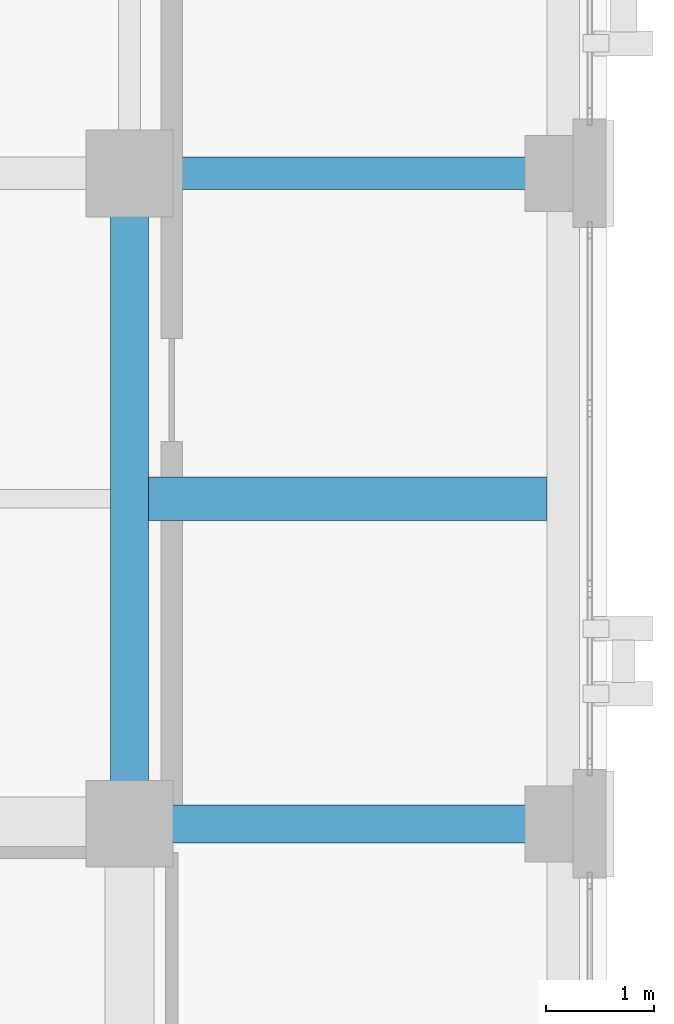
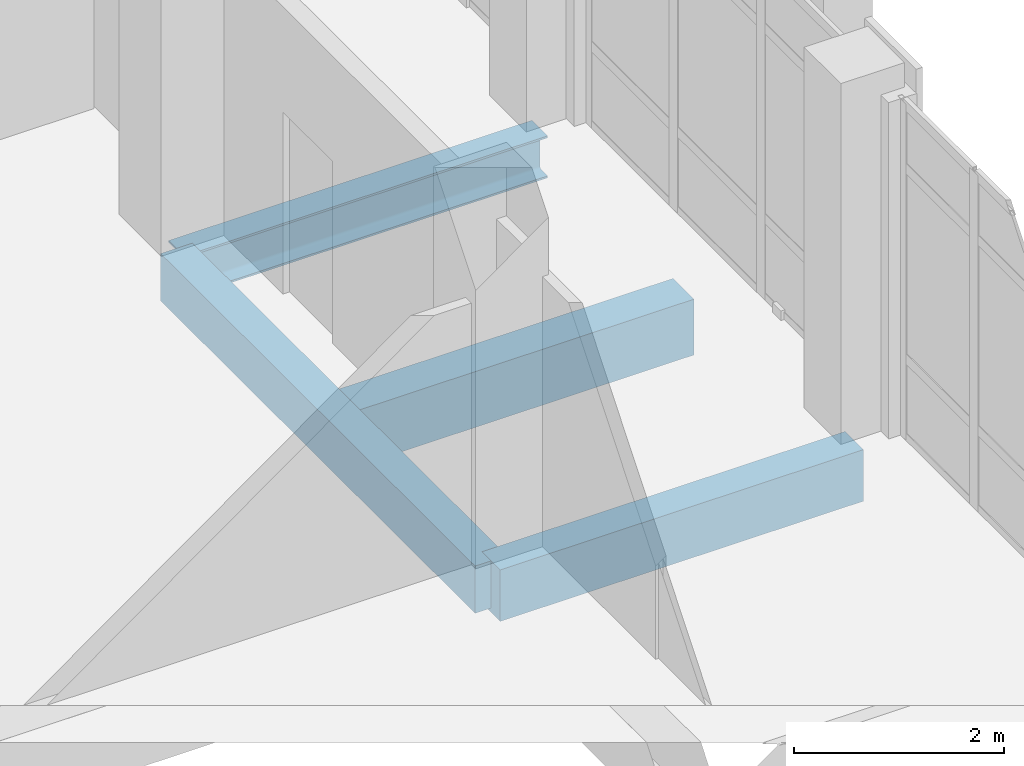
# One storey, part 74 of 193: 4 beams.
"""IFC4 building model written with IfcOpenShell, lengths in metres."""

import ifcopenshell
import ifcopenshell.guid

model = None  # the IFC model being written
_history = None  # IfcOwnerHistory: only IFC2X3 demands one
_inside = {}  # id of a spatial element -> (the spatial element, [elements in it])
_under = {}  # id of a project, library or spatial element -> (it, [spatial elements below it])
_declared = {}  # id of a project -> (the project, [libraries it declares])
_typed = {}  # id of a type object -> (the type object, [elements of that type])
_made_of = {}  # id of a material, layer set ... -> (it, [elements and type objects made of it])


def new_model(schema):
    """Start an empty IFC model of exactly this schema.

    Asked for "IFC4X3", IfcOpenShell would pick the latest addendum, in which some entities
    have other attributes; the version numbers below select the first issue.
    IFC2X3 requires an IfcOwnerHistory on every rooted entity: one is made here for all.
    """
    global model, _history
    if schema == "IFC4X3":
        model = ifcopenshell.file(schema_version=(4, 3, 0, 0))
    else:
        model = ifcopenshell.file(schema=schema)
    _inside.clear()
    _under.clear()
    _declared.clear()
    _typed.clear()
    _made_of.clear()
    _history = None
    if model.schema == "IFC2X3":
        org = make("IfcOrganization", Name="unknown")
        user = make(
            "IfcPersonAndOrganization",
            ThePerson=make("IfcPerson", FamilyName="unknown"),
            TheOrganization=org,
        )
        app = make(
            "IfcApplication",
            ApplicationDeveloper=org,
            Version="unknown",
            ApplicationFullName="unknown",
            ApplicationIdentifier="unknown",
        )
        _history = make(
            "IfcOwnerHistory",
            OwningUser=user,
            OwningApplication=app,
            ChangeAction="ADDED",
            CreationDate=0,
        )
    return model


def make(cls, **values):
    """One entity of the class cls with the attributes given. An attribute that is None is left unset."""
    return model.create_entity(
        cls, **{name: value for name, value in values.items() if value is not None}
    )


def rooted(cls, **values):
    """An entity with a GlobalId (a new one), such as an element, a storey or a relation."""
    return make(cls, GlobalId=ifcopenshell.guid.new(), OwnerHistory=_history, **values)


def si_unit(unit_type, name, prefix=None):
    """IfcSIUnit, for example si_unit("LENGTHUNIT", "METRE", prefix="MILLI")."""
    return make("IfcSIUnit", UnitType=unit_type, Prefix=prefix, Name=name)


def assignment(units):
    """IfcUnitAssignment: the units of a project."""
    return None if units is None else make("IfcUnitAssignment", Units=units)


def point(xyz):
    """IfcCartesianPoint."""
    return None if xyz is None else make("IfcCartesianPoint", Coordinates=xyz)


def direction(xyz):
    """IfcDirection."""
    return None if xyz is None else make("IfcDirection", DirectionRatios=xyz)


def frame(location, z_axis=None, x_axis=None):
    """IfcAxis2Placement3D, a coordinate frame: its origin and axes. An axis left out is left unset."""
    return make(
        "IfcAxis2Placement3D",
        Location=point(location),
        Axis=direction(z_axis),
        RefDirection=direction(x_axis),
    )


def frame_2d(location, x_axis=None):
    """IfcAxis2Placement2D, a coordinate frame in the plane: its origin and x axis."""
    return make(
        "IfcAxis2Placement2D", Location=point(location), RefDirection=direction(x_axis)
    )


def origin():
    """The frame at (0, 0, 0) with its axes left unset."""
    return frame((0.0, 0.0, 0.0))


def origin_2d():
    """The frame at (0, 0) in the plane with its x axis left unset."""
    return frame_2d((0.0, 0.0))


def place(relative_to, where):
    """IfcLocalPlacement: puts the frame where relative to a parent placement (None: the world)."""
    return make(
        "IfcLocalPlacement", PlacementRelTo=relative_to, RelativePlacement=where
    )


def context(
    kind, dimensions, precision=None, world=None, true_north=None, identifier=None
):
    """IfcGeometricRepresentationContext, for example the 3D "Model" context."""
    return make(
        "IfcGeometricRepresentationContext",
        ContextIdentifier=identifier,
        ContextType=kind,
        CoordinateSpaceDimension=dimensions,
        Precision=precision,
        WorldCoordinateSystem=world,
        TrueNorth=true_north,
    )


def subcontext(parent, identifier, kind, view, scale=None):
    """IfcGeometricRepresentationSubContext, for example "Body" below "Model"."""
    return make(
        "IfcGeometricRepresentationSubContext",
        ContextIdentifier=identifier,
        ContextType=kind,
        ParentContext=parent,
        TargetScale=scale,
        TargetView=view,
    )


def project(units=None, contexts=None):
    """IfcProject with its units and contexts."""
    return rooted(
        "IfcProject",
        Name="project",
        RepresentationContexts=contexts,
        UnitsInContext=assignment(units),
    )


def spatial(cls, under=None, at=None, **own):
    """A site, building, storey or space (cls), placed at a placement, below another one or the project."""
    s = rooted(cls, ObjectPlacement=at, **own)
    if under is not None:
        _under.setdefault(under.id(), (under, []))[1].append(s)
    return s


def profile(cls, at=None, kind="AREA", **sizes):
    """A parametric profile (cls). Its sizes go by their IFC names, for example OverallWidth=200.0."""
    return make(cls, ProfileType=kind, Position=at, **sizes)


def rectangle(**sizes):
    """IfcRectangleProfileDef."""
    return profile("IfcRectangleProfileDef", **sizes)


def i_section(**sizes):
    """IfcIShapeProfileDef."""
    return profile("IfcIShapeProfileDef", **sizes)


def extrude(swept, where, along, depth):
    """IfcExtrudedAreaSolid: the profile swept, set in the frame where, extruded along a direction by depth."""
    return make(
        "IfcExtrudedAreaSolid",
        SweptArea=swept,
        Position=where,
        ExtrudedDirection=direction(along),
        Depth=depth,
    )


def shape(context_of_items, identifier, shape_type, items):
    """IfcShapeRepresentation: the items that make up one representation, for example the "Body"."""
    return make(
        "IfcShapeRepresentation",
        ContextOfItems=context_of_items,
        RepresentationIdentifier=identifier,
        RepresentationType=shape_type,
        Items=items,
    )


def material(Name=None, Category=None):
    """IfcMaterial."""
    return make("IfcMaterial", Name=Name, Category=Category)


def material_profile(
    of_material, cross_section, Name=None, Category=None, Priority=None
):
    """IfcMaterialProfile: a cross section and its material."""
    return make(
        "IfcMaterialProfile",
        Name=Name,
        Material=of_material,
        Profile=cross_section,
        Priority=Priority,
        Category=Category,
    )


def profile_set(profiles, Name=None, composite=None):
    """IfcMaterialProfileSet."""
    return make(
        "IfcMaterialProfileSet",
        Name=Name,
        MaterialProfiles=profiles,
        CompositeProfile=composite,
    )


def made_of(thing, what):
    """Note that an element or type object is made of a material, layer set ...; save() writes the relation."""
    if what is not None:
        _made_of.setdefault(what.id(), (what, []))[1].append(thing)
    return thing


def type_object(cls, material=None, **own):
    """A type object (cls), such as IfcWallType, which elements share."""
    return made_of(rooted(cls, **own), material)


def element(
    cls,
    number,
    at=None,
    inside=None,
    cuts=None,
    type_object=None,
    material=None,
    context=None,
    identifier="Body",
    shape_type=None,
    held_by="IfcProductDefinitionShape",
    body=None,
    shapes=None,
    **own,
):
    """One element of the class cls, such as IfcWall. Its Tag is "e" and its number.

    at: its placement. inside: the storey or other place that contains it. cuts: it is an
    opening in that element (IfcRelVoidsElement). A single representation is given by context,
    identifier, shape_type and body (its items); several are given by shapes. held_by: the class
    of the entity that holds the representations. save() writes the other relations.
    """
    e = rooted(cls, Tag="e%d" % number, ObjectPlacement=at, **own)
    if body is not None:
        shapes = [shape(context, identifier, shape_type, body)]
    if shapes is not None:
        e.Representation = make(held_by, Representations=shapes)
    if inside is not None:
        _inside.setdefault(inside.id(), (inside, []))[1].append(e)
    if cuts is not None:
        rooted(
            "IfcRelVoidsElement", RelatingBuildingElement=cuts, RelatedOpeningElement=e
        )
    if type_object is not None:
        _typed.setdefault(type_object.id(), (type_object, []))[1].append(e)
    return made_of(e, material)


def aggregate(whole, parts):
    """IfcRelAggregates: a whole, such as a stair, and the parts it consists of."""
    return rooted("IfcRelAggregates", RelatingObject=whole, RelatedObjects=parts)


def save(model, path):
    """Write the relations noted so far, then the file.

    IfcRelAggregates (storeys below a building ...), IfcRelContainedInSpatialStructure (elements
    in a storey), IfcRelDefinesByType, IfcRelAssociatesMaterial and IfcRelDeclares: one each for
    every whole, place, type object, material and project.
    """
    for whole, parts in _under.values():
        aggregate(whole, parts)
    for where, things in _inside.values():
        rooted(
            "IfcRelContainedInSpatialStructure",
            RelatedElements=things,
            RelatingStructure=where,
        )
    for kind, things in _typed.values():
        rooted("IfcRelDefinesByType", RelatedObjects=things, RelatingType=kind)
    for what, things in _made_of.values():
        rooted("IfcRelAssociatesMaterial", RelatedObjects=things, RelatingMaterial=what)
    for by, libraries in _declared.values():
        rooted("IfcRelDeclares", RelatingContext=by, RelatedDefinitions=libraries)
    model.write(path)


model = new_model("IFC4")

# Units and contexts
model_context = context("Model", 3, precision=1e-05, world=origin(), true_north=direction((0.0, 1.0)))
body_context = subcontext(model_context, "Body", "Model", "MODEL_VIEW")
ifc_project = project(units=[si_unit("LENGTHUNIT", "METRE"), si_unit("AREAUNIT", "SQUARE_METRE"), si_unit("VOLUMEUNIT", "CUBIC_METRE"), si_unit("PLANEANGLEUNIT", "RADIAN"), si_unit("MASSUNIT", "GRAM", prefix="KILO")], contexts=[model_context])

# Site, building, storey
site_placement = place(None, origin())
site = spatial("IfcSite", under=ifc_project, at=site_placement, CompositionType="ELEMENT")
building_placement = place(site_placement, origin())
building = spatial("IfcBuilding", under=site, at=building_placement, Name="Qalavern Law Courts", CompositionType="ELEMENT")
storey_placement = place(building_placement, frame((0.0, 0.0, 10.199951171875)))
storey = spatial("IfcBuildingStorey", under=building, at=storey_placement, Name="L02", CompositionType="ELEMENT", Elevation=10.199951171875)

# Beams
ifc_material_1 = material(Name="Steel S355", Category="steel")
ifc_material_profile_1 = material_profile(ifc_material_1, i_section(OverallWidth=0.300048828125, OverallDepth=0.489990234375, WebThickness=0.011962890625, FlangeThickness=0.02294921875, FilletRadius=0.027099609375, at=origin_2d()), Name="HEA 500")
ifc_profile_set_1 = profile_set([ifc_material_profile_1], Name="Steel S355")
beam_type_1 = type_object("IfcBeamType", Name="STR-BM-HEA500", PredefinedType="BEAM", material=ifc_profile_set_1)
beam_1_placement = place(storey_placement, frame((14.39990234375, 79.39990234375, -0.534912109375), z_axis=(1.0, 0.0, 0.0), x_axis=(0.0, 1.0, 0.0)))
element("IfcBeam", 1, at=beam_1_placement, inside=storey, type_object=beam_type_1, Name="V3 X-beam 6-2 L02", PredefinedType="BEAM", context=body_context, shape_type="SweptSolid", body=[
    extrude(i_section(OverallWidth=0.300048828125, OverallDepth=0.489990234375, WebThickness=0.011962890625, FlangeThickness=0.02294921875, FilletRadius=0.027099609375, at=origin_2d()), origin(), (0.0, 0.0, 1.0), 4.0),
])
ifc_material_2 = material(Name="Concrete C35/45", Category="concrete")
ifc_material_profile_2 = material_profile(ifc_material_2, rectangle(XDim=0.35009765625, YDim=0.550048828125, at=origin_2d()), Name="RC 350x550")
ifc_profile_set_2 = profile_set([ifc_material_profile_2], Name="Concrete C35/45")
beam_type_2 = type_object("IfcBeamType", Name="STR-BM-RC350x550", PredefinedType="BEAM", material=ifc_profile_set_2)
beam_2_placement = place(storey_placement, frame((14.39990234375, 73.39990234375, -0.56494140625), z_axis=(0.0, 1.0, 0.0), x_axis=(-1.0, 0.0, 0.0)))
element("IfcBeam", 2, at=beam_2_placement, inside=storey, type_object=beam_type_2, Name="V3 Y-beam 2-5 L02", PredefinedType="BEAM", context=body_context, shape_type="SweptSolid", body=[
    extrude(rectangle(XDim=0.35009765625, YDim=0.550048828125, at=origin_2d()), origin(), (0.0, 0.0, 1.0), 6.0),
])
ifc_material_profile_3 = material_profile(ifc_material_2, rectangle(XDim=0.35009765625, YDim=0.60009765625, at=origin_2d()), Name="RC 350x600")
ifc_profile_set_3 = profile_set([ifc_material_profile_3], Name="Concrete C35/45")
beam_type_3 = type_object("IfcBeamType", Name="STR-BM-RC350x600", PredefinedType="BEAM", material=ifc_profile_set_3)
beam_3_placement = place(storey_placement, frame((14.39990234375, 73.39990234375, -0.58984375), z_axis=(1.0, 0.0, 0.0), x_axis=(0.0, 1.0, 0.0)))
element("IfcBeam", 3, at=beam_3_placement, inside=storey, type_object=beam_type_3, Name="V3 X-beam 5-2 L02", PredefinedType="BEAM", context=body_context, shape_type="SweptSolid", body=[
    extrude(rectangle(XDim=0.35009765625, YDim=0.60009765625, at=origin_2d()), origin(), (0.0, 0.0, 1.0), 4.0),
])
ifc_material_profile_4 = material_profile(ifc_material_2, rectangle(XDim=0.39990234375, YDim=0.64990234375, at=origin_2d()), Name="RC 400x650")
ifc_profile_set_4 = profile_set([ifc_material_profile_4], Name="Concrete C35/45")
beam_type_4 = type_object("IfcBeamType", Name="STR-JST-RC400x650", PredefinedType="JOIST", material=ifc_profile_set_4)
beam_4_placement = place(storey_placement, frame((14.572998046875, 76.39990234375, -0.614990234375), z_axis=(1.0, 0.0, 0.0), x_axis=(0.0, 1.0, 0.0)))
element("IfcBeam", 4, at=beam_4_placement, inside=storey, type_object=beam_type_4, Name="V3 secondary joist 2.5.1 L02", PredefinedType="JOIST", context=body_context, shape_type="SweptSolid", body=[
    extrude(rectangle(XDim=0.39990234375, YDim=0.64990234375, at=origin_2d()), origin(), (0.0, 0.0, 1.0), 3.678955078125),
])

save(model, "model.ifc")
